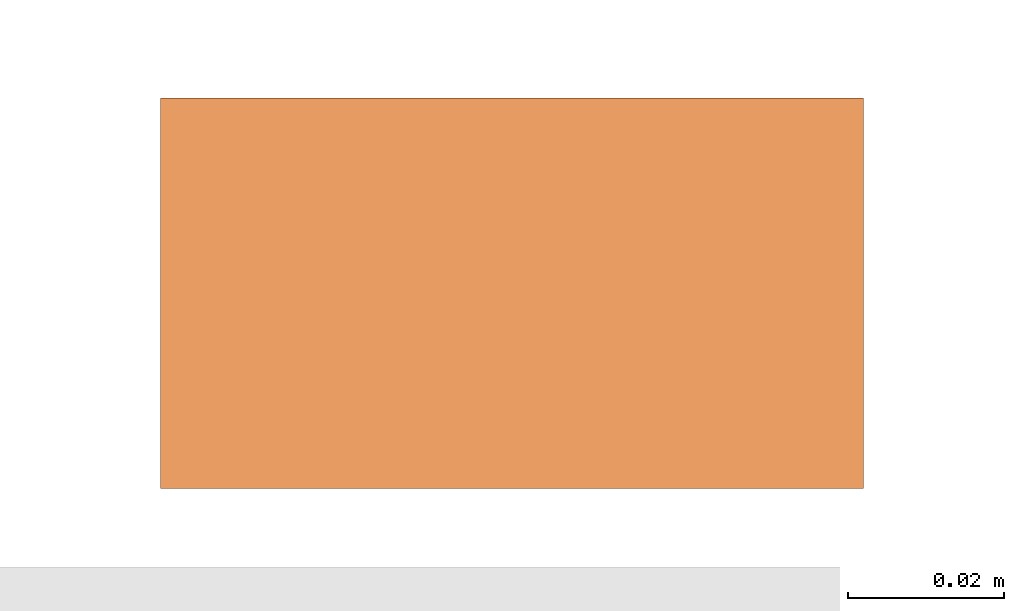
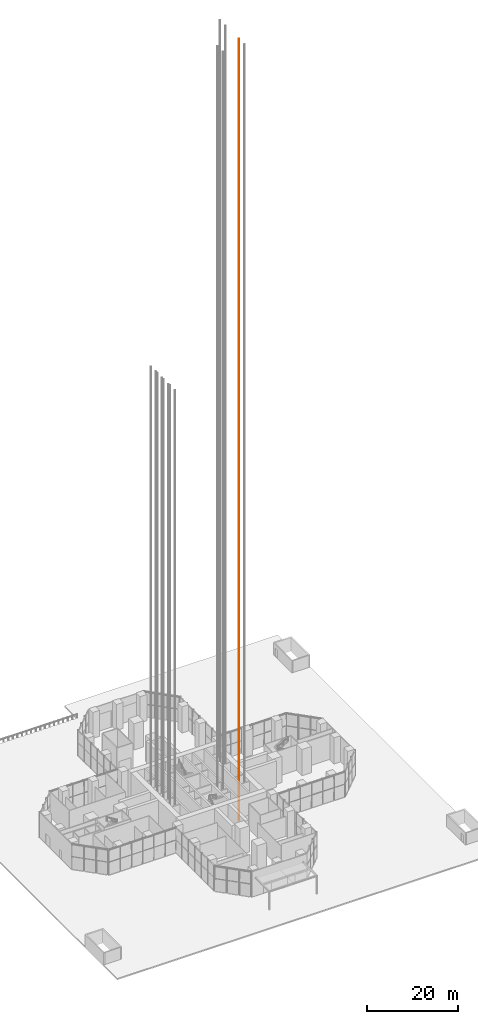
# One storey, part 41 of 43: 1 proxy.
"""IFC4 building model written with IfcOpenShell, lengths in metres."""

import ifcopenshell
import ifcopenshell.guid

model = None  # the IFC model being written
_history = None  # IfcOwnerHistory: only IFC2X3 demands one
_inside = {}  # id of a spatial element -> (the spatial element, [elements in it])
_under = {}  # id of a project, library or spatial element -> (it, [spatial elements below it])
_declared = {}  # id of a project -> (the project, [libraries it declares])
_typed = {}  # id of a type object -> (the type object, [elements of that type])
_made_of = {}  # id of a material, layer set ... -> (it, [elements and type objects made of it])


def new_model(schema):
    """Start an empty IFC model of exactly this schema.

    Asked for "IFC4X3", IfcOpenShell would pick the latest addendum, in which some entities
    have other attributes; the version numbers below select the first issue.
    IFC2X3 requires an IfcOwnerHistory on every rooted entity: one is made here for all.
    """
    global model, _history
    if schema == "IFC4X3":
        model = ifcopenshell.file(schema_version=(4, 3, 0, 0))
    else:
        model = ifcopenshell.file(schema=schema)
    _inside.clear()
    _under.clear()
    _declared.clear()
    _typed.clear()
    _made_of.clear()
    _history = None
    if model.schema == "IFC2X3":
        org = make("IfcOrganization", Name="unknown")
        user = make(
            "IfcPersonAndOrganization",
            ThePerson=make("IfcPerson", FamilyName="unknown"),
            TheOrganization=org,
        )
        app = make(
            "IfcApplication",
            ApplicationDeveloper=org,
            Version="unknown",
            ApplicationFullName="unknown",
            ApplicationIdentifier="unknown",
        )
        _history = make(
            "IfcOwnerHistory",
            OwningUser=user,
            OwningApplication=app,
            ChangeAction="ADDED",
            CreationDate=0,
        )
    return model


def make(cls, **values):
    """One entity of the class cls with the attributes given. An attribute that is None is left unset."""
    return model.create_entity(
        cls, **{name: value for name, value in values.items() if value is not None}
    )


def rooted(cls, **values):
    """An entity with a GlobalId (a new one), such as an element, a storey or a relation."""
    return make(cls, GlobalId=ifcopenshell.guid.new(), OwnerHistory=_history, **values)


def si_unit(unit_type, name, prefix=None):
    """IfcSIUnit, for example si_unit("LENGTHUNIT", "METRE", prefix="MILLI")."""
    return make("IfcSIUnit", UnitType=unit_type, Prefix=prefix, Name=name)


def assignment(units):
    """IfcUnitAssignment: the units of a project."""
    return None if units is None else make("IfcUnitAssignment", Units=units)


def point(xyz):
    """IfcCartesianPoint."""
    return None if xyz is None else make("IfcCartesianPoint", Coordinates=xyz)


def direction(xyz):
    """IfcDirection."""
    return None if xyz is None else make("IfcDirection", DirectionRatios=xyz)


def frame(location, z_axis=None, x_axis=None):
    """IfcAxis2Placement3D, a coordinate frame: its origin and axes. An axis left out is left unset."""
    return make(
        "IfcAxis2Placement3D",
        Location=point(location),
        Axis=direction(z_axis),
        RefDirection=direction(x_axis),
    )


def frame_2d(location, x_axis=None):
    """IfcAxis2Placement2D, a coordinate frame in the plane: its origin and x axis."""
    return make(
        "IfcAxis2Placement2D", Location=point(location), RefDirection=direction(x_axis)
    )


def origin():
    """The frame at (0, 0, 0) with its axes left unset."""
    return frame((0.0, 0.0, 0.0))


def origin_2d():
    """The frame at (0, 0) in the plane with its x axis left unset."""
    return frame_2d((0.0, 0.0))


def place(relative_to, where):
    """IfcLocalPlacement: puts the frame where relative to a parent placement (None: the world)."""
    return make(
        "IfcLocalPlacement", PlacementRelTo=relative_to, RelativePlacement=where
    )


def context(
    kind, dimensions, precision=None, world=None, true_north=None, identifier=None
):
    """IfcGeometricRepresentationContext, for example the 3D "Model" context."""
    return make(
        "IfcGeometricRepresentationContext",
        ContextIdentifier=identifier,
        ContextType=kind,
        CoordinateSpaceDimension=dimensions,
        Precision=precision,
        WorldCoordinateSystem=world,
        TrueNorth=true_north,
    )


def subcontext(parent, identifier, kind, view, scale=None):
    """IfcGeometricRepresentationSubContext, for example "Body" below "Model"."""
    return make(
        "IfcGeometricRepresentationSubContext",
        ContextIdentifier=identifier,
        ContextType=kind,
        ParentContext=parent,
        TargetScale=scale,
        TargetView=view,
    )


def project(units=None, contexts=None):
    """IfcProject with its units and contexts."""
    return rooted(
        "IfcProject",
        Name="project",
        RepresentationContexts=contexts,
        UnitsInContext=assignment(units),
    )


def spatial(cls, under=None, at=None, **own):
    """A site, building, storey or space (cls), placed at a placement, below another one or the project."""
    s = rooted(cls, ObjectPlacement=at, **own)
    if under is not None:
        _under.setdefault(under.id(), (under, []))[1].append(s)
    return s


def profile(cls, at=None, kind="AREA", **sizes):
    """A parametric profile (cls). Its sizes go by their IFC names, for example OverallWidth=200.0."""
    return make(cls, ProfileType=kind, Position=at, **sizes)


def rectangle(**sizes):
    """IfcRectangleProfileDef."""
    return profile("IfcRectangleProfileDef", **sizes)


def extrude(swept, where, along, depth):
    """IfcExtrudedAreaSolid: the profile swept, set in the frame where, extruded along a direction by depth."""
    return make(
        "IfcExtrudedAreaSolid",
        SweptArea=swept,
        Position=where,
        ExtrudedDirection=direction(along),
        Depth=depth,
    )


def shape(context_of_items, identifier, shape_type, items):
    """IfcShapeRepresentation: the items that make up one representation, for example the "Body"."""
    return make(
        "IfcShapeRepresentation",
        ContextOfItems=context_of_items,
        RepresentationIdentifier=identifier,
        RepresentationType=shape_type,
        Items=items,
    )


def material(Name=None, Category=None):
    """IfcMaterial."""
    return make("IfcMaterial", Name=Name, Category=Category)


def made_of(thing, what):
    """Note that an element or type object is made of a material, layer set ...; save() writes the relation."""
    if what is not None:
        _made_of.setdefault(what.id(), (what, []))[1].append(thing)
    return thing


def element(
    cls,
    number,
    at=None,
    inside=None,
    cuts=None,
    type_object=None,
    material=None,
    context=None,
    identifier="Body",
    shape_type=None,
    held_by="IfcProductDefinitionShape",
    body=None,
    shapes=None,
    **own,
):
    """One element of the class cls, such as IfcWall. Its Tag is "e" and its number.

    at: its placement. inside: the storey or other place that contains it. cuts: it is an
    opening in that element (IfcRelVoidsElement). A single representation is given by context,
    identifier, shape_type and body (its items); several are given by shapes. held_by: the class
    of the entity that holds the representations. save() writes the other relations.
    """
    e = rooted(cls, Tag="e%d" % number, ObjectPlacement=at, **own)
    if body is not None:
        shapes = [shape(context, identifier, shape_type, body)]
    if shapes is not None:
        e.Representation = make(held_by, Representations=shapes)
    if inside is not None:
        _inside.setdefault(inside.id(), (inside, []))[1].append(e)
    if cuts is not None:
        rooted(
            "IfcRelVoidsElement", RelatingBuildingElement=cuts, RelatedOpeningElement=e
        )
    if type_object is not None:
        _typed.setdefault(type_object.id(), (type_object, []))[1].append(e)
    return made_of(e, material)


def aggregate(whole, parts):
    """IfcRelAggregates: a whole, such as a stair, and the parts it consists of."""
    return rooted("IfcRelAggregates", RelatingObject=whole, RelatedObjects=parts)


def save(model, path):
    """Write the relations noted so far, then the file.

    IfcRelAggregates (storeys below a building ...), IfcRelContainedInSpatialStructure (elements
    in a storey), IfcRelDefinesByType, IfcRelAssociatesMaterial and IfcRelDeclares: one each for
    every whole, place, type object, material and project.
    """
    for whole, parts in _under.values():
        aggregate(whole, parts)
    for where, things in _inside.values():
        rooted(
            "IfcRelContainedInSpatialStructure",
            RelatedElements=things,
            RelatingStructure=where,
        )
    for kind, things in _typed.values():
        rooted("IfcRelDefinesByType", RelatedObjects=things, RelatingType=kind)
    for what, things in _made_of.values():
        rooted("IfcRelAssociatesMaterial", RelatedObjects=things, RelatingMaterial=what)
    for by, libraries in _declared.values():
        rooted("IfcRelDeclares", RelatingContext=by, RelatedDefinitions=libraries)
    model.write(path)


model = new_model("IFC4")

# Units and contexts
model_context = context("Model", 3, precision=1e-05, world=origin(), true_north=direction((0.0, 1.0)))
body_context = subcontext(model_context, "Body", "Model", "MODEL_VIEW")
ifc_project = project(units=[si_unit("LENGTHUNIT", "METRE"), si_unit("AREAUNIT", "SQUARE_METRE"), si_unit("VOLUMEUNIT", "CUBIC_METRE"), si_unit("PLANEANGLEUNIT", "RADIAN"), si_unit("MASSUNIT", "GRAM", prefix="KILO")], contexts=[model_context])

# Site, building, storey
site_placement = place(None, origin())
site = spatial("IfcSite", under=ifc_project, at=site_placement, CompositionType="ELEMENT")
building_placement = place(site_placement, origin())
building = spatial("IfcBuilding", under=site, at=building_placement, Name="Mizan Broadcast Tower", CompositionType="ELEMENT")
storey_placement = place(building_placement, origin())
storey = spatial("IfcBuildingStorey", under=building, at=storey_placement, Name="L00", CompositionType="ELEMENT", Elevation=0.0)

# Proxy
ifc_material = material(Name="Steel guide rail", Category="steel")
proxy_placement = place(storey_placement, frame((8.800048828125, -2.93994140625, -5.0), z_axis=(0.0, 0.0, 1.0), x_axis=(1.0, 0.0, 0.0)))
element("IfcBuildingElementProxy", 1, at=proxy_placement, inside=storey, material=ifc_material, Name="Guide rail SH2-2", PredefinedType="NOTDEFINED", context=body_context, shape_type="SweptSolid", body=[
    extrude(rectangle(XDim=0.090087890625, YDim=0.050048828125, at=origin_2d()), origin(), (0.0, 0.0, 1.0), 209.719970703125),
])

save(model, "model.ifc")
